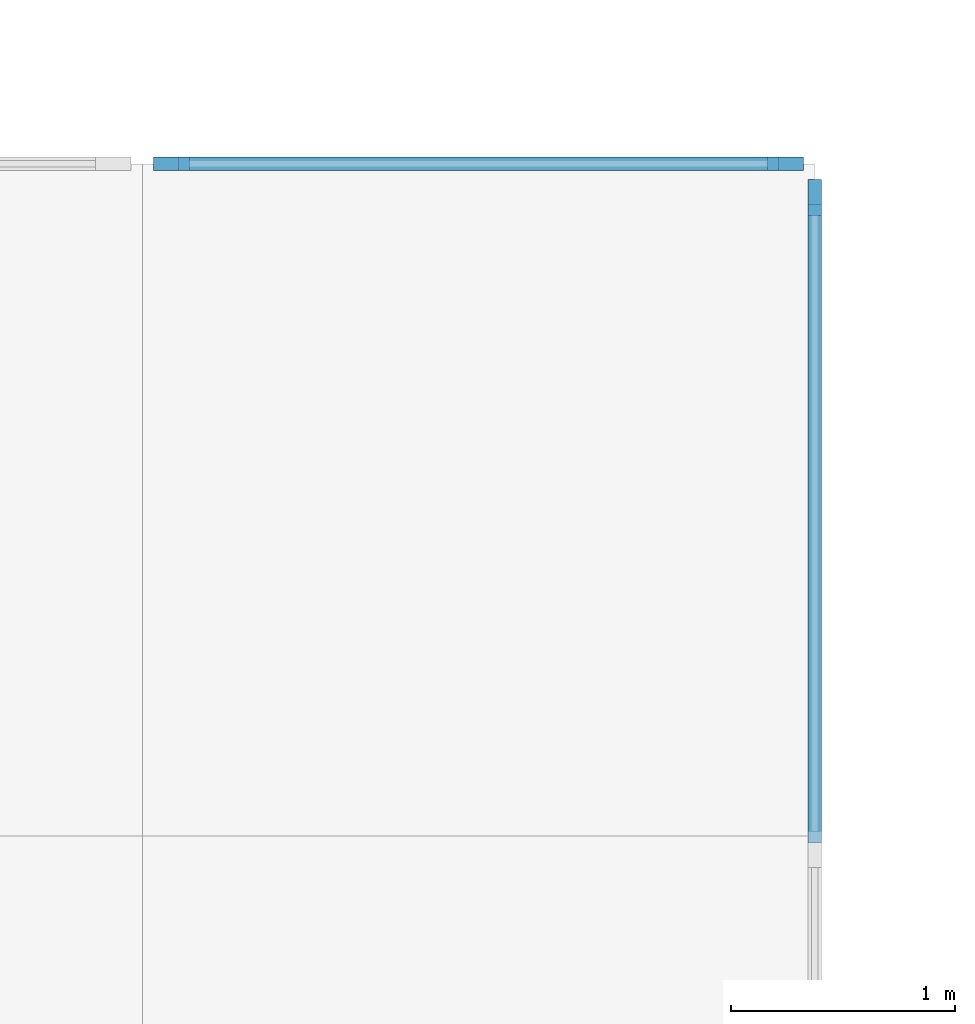
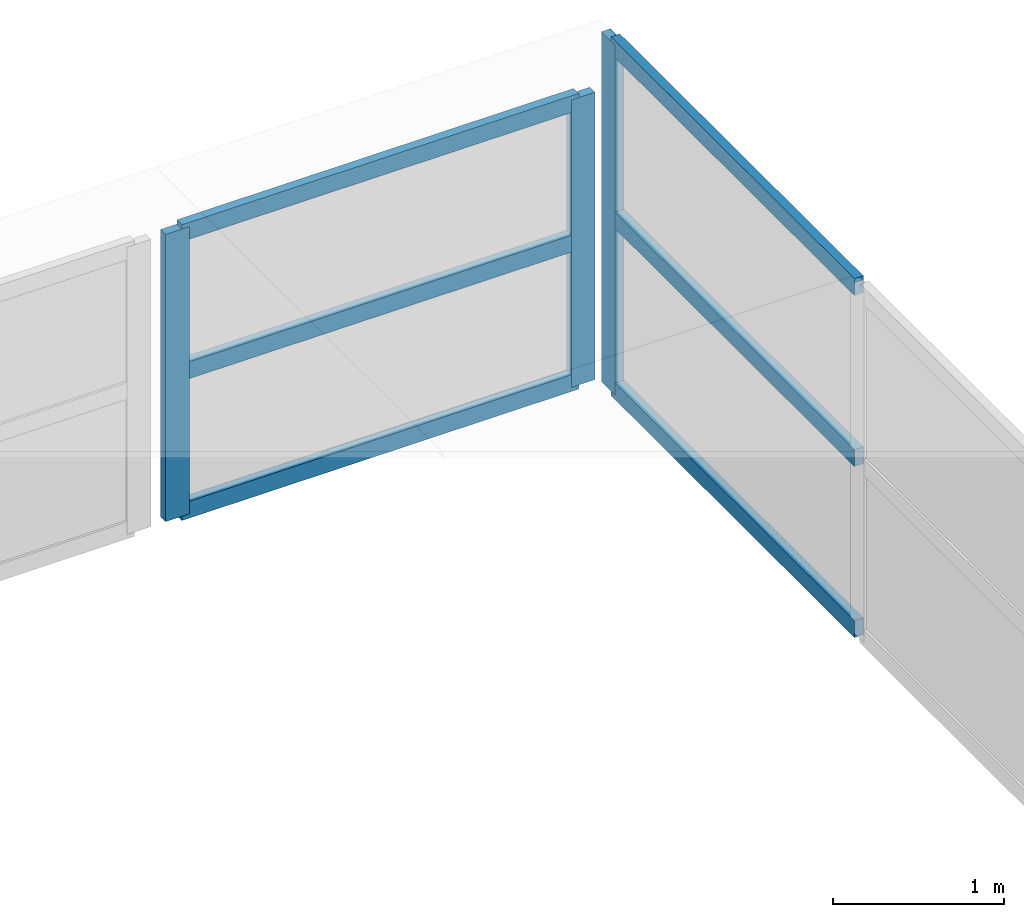
# One storey, part 44 of 91: 9 members, 2 elements without a shape of their own.
"""IFC4 building model written with IfcOpenShell, lengths in metres."""

from ifc_helpers import new_model, si_unit, direction, frame, origin, origin_2d, place, context, subcontext, project, spatial, rectangle, extrude, material, layer, layer_set, material_profile, profile_set, type_object, element, aggregate, save


model = new_model("IFC4")

# Units and contexts
model_context = context("Model", 3, precision=1e-05, world=origin(), true_north=direction((0.0, 1.0)))
body_context = subcontext(model_context, "Body", "Model", "MODEL_VIEW")
ifc_project = project(units=[si_unit("LENGTHUNIT", "METRE"), si_unit("AREAUNIT", "SQUARE_METRE"), si_unit("VOLUMEUNIT", "CUBIC_METRE"), si_unit("PLANEANGLEUNIT", "RADIAN"), si_unit("MASSUNIT", "GRAM", prefix="KILO")], contexts=[model_context])

# Site, building, storey
site_placement = place(None, origin())
site = spatial("IfcSite", under=ifc_project, at=site_placement, CompositionType="ELEMENT")
building_placement = place(site_placement, origin())
building = spatial("IfcBuilding", under=site, at=building_placement, Name="Ravi Spectrum Wholesale Market", CompositionType="ELEMENT")
storey_placement = place(building_placement, frame((0.0, 0.0, 16.199951171875)))
storey = spatial("IfcBuildingStorey", under=building, at=storey_placement, Name="ROOF PLANT LEVEL", CompositionType="ELEMENT", Elevation=16.199951171875)

# Curtain wall, members
ifc_material_1 = material(Name="Aluminium 6063-T6", Category="aluminium")
ifc_layer = layer(ifc_material_1, 0.14990234375)
ifc_layer_set = layer_set([ifc_layer], Name="Aluminium 6063-T6")
curtain_wall_type = type_object("IfcCurtainWallType", Name="Curtain wall 150", PredefinedType="NOTDEFINED", material=ifc_layer_set)
curtain_wall_1_placement = place(storey_placement, origin())
curtain_wall_1 = element("IfcCurtainWall", 1, at=curtain_wall_1_placement, inside=storey, type_object=curtain_wall_type, Name="AU-CW-ROOF-008", PredefinedType="NOTDEFINED")
ifc_material_2 = material(Name="Aluminium 6063-T6", Category="aluminium")
ifc_material_profile_1 = material_profile(ifc_material_2, rectangle(XDim=0.06005859375, YDim=0.159912109375, at=origin_2d()))
ifc_profile_set_1 = profile_set([ifc_material_profile_1], Name="Aluminium 6063-T6")
member_type_1 = type_object("IfcMemberType", Name="Mullion 60 x 160", PredefinedType="MULLION", material=ifc_profile_set_1)
member_1_placement = place(storey_placement, frame((183.1298828125, 222.0, 0.268798828125), z_axis=(0.0, 0.0, 1.0), x_axis=(0.0, 1.0, 0.0)))
member_1 = element("IfcMember", 2, at=member_1_placement, type_object=member_type_1, Name="AU-CW-ROOF-008 mullion 1", PredefinedType="MULLION", context=body_context, shape_type="SweptSolid", body=[
    extrude(rectangle(XDim=0.06005859375, YDim=0.159912109375, at=origin_2d()), origin(), (0.0, 0.0, 1.0), 2.05126953125),
])
member_2_placement = place(storey_placement, frame((185.8701171875, 222.0, 0.268798828125), z_axis=(0.0, 0.0, 1.0), x_axis=(0.0, 1.0, 0.0)))
member_2 = element("IfcMember", 3, at=member_2_placement, type_object=member_type_1, Name="AU-CW-ROOF-008 mullion 2", PredefinedType="MULLION", context=body_context, shape_type="SweptSolid", body=[
    extrude(rectangle(XDim=0.06005859375, YDim=0.159912109375, at=origin_2d()), origin(), (0.0, 0.0, 1.0), 2.05126953125),
])

# Curtain wall, member
curtain_wall_2_placement = place(storey_placement, origin())
curtain_wall_2 = element("IfcCurtainWall", 4, at=curtain_wall_2_placement, inside=storey, type_object=curtain_wall_type, Name="AU-CW-ROOF-010", PredefinedType="NOTDEFINED")
member_3_placement = place(storey_placement, frame((186.0, 221.85009765625, 0.268798828125), z_axis=(0.0, 0.0, 1.0), x_axis=(-1.0, 0.0, 0.0)))
member_3 = element("IfcMember", 5, at=member_3_placement, type_object=member_type_1, Name="AU-CW-ROOF-010 mullion 5", PredefinedType="MULLION", context=body_context, shape_type="SweptSolid", body=[
    extrude(rectangle(XDim=0.06005859375, YDim=0.159912109375, at=origin_2d()), origin(), (0.0, 0.0, 1.0), 2.501220703125),
])

# Member
ifc_material_3 = material(Name="Aluminium 6063-T6", Category="aluminium")
ifc_material_profile_2 = material_profile(ifc_material_3, rectangle(XDim=0.06005859375, YDim=0.1201171875, at=origin_2d()))
ifc_profile_set_2 = profile_set([ifc_material_profile_2], Name="Aluminium 6063-T6")
member_type_2 = type_object("IfcMemberType", Name="Transom 60 x 120", PredefinedType="USERDEFINED", material=ifc_profile_set_2)
member_4_placement = place(storey_placement, frame((183.159912109375, 222.0, 0.298583984375), z_axis=(1.0, 0.0, 0.0), x_axis=(0.0, 1.0, 0.0)))
member_4 = element("IfcMember", 6, at=member_4_placement, type_object=member_type_2, Name="AU-CW-ROOF-008 transom 1.1", ObjectType="TRANSOM", PredefinedType="USERDEFINED", context=body_context, shape_type="SweptSolid", body=[
    extrude(rectangle(XDim=0.06005859375, YDim=0.1201171875, at=origin_2d()), origin(), (0.0, 0.0, 1.0), 2.68017578125),
])

member_5_placement = place(storey_placement, frame((183.159912109375, 222.0, 1.29443359375), z_axis=(1.0, 0.0, 0.0), x_axis=(0.0, 1.0, 0.0)))
member_5 = element("IfcMember", 7, at=member_5_placement, type_object=member_type_2, Name="AU-CW-ROOF-008 transom 1.2", ObjectType="TRANSOM", PredefinedType="USERDEFINED", context=body_context, shape_type="SweptSolid", body=[
    extrude(rectangle(XDim=0.06005859375, YDim=0.1201171875, at=origin_2d()), origin(), (0.0, 0.0, 1.0), 2.68017578125),
])

member_6_placement = place(storey_placement, frame((183.159912109375, 222.0, 2.2900390625), z_axis=(1.0, 0.0, 0.0), x_axis=(0.0, 1.0, 0.0)))
member_6 = element("IfcMember", 8, at=member_6_placement, type_object=member_type_2, Name="AU-CW-ROOF-008 transom 1.3", ObjectType="TRANSOM", PredefinedType="USERDEFINED", context=body_context, shape_type="SweptSolid", body=[
    extrude(rectangle(XDim=0.06005859375, YDim=0.1201171875, at=origin_2d()), origin(), (0.0, 0.0, 1.0), 2.68017578125),
])

aggregate(curtain_wall_1, [member_1, member_2, member_4, member_5, member_6])

member_7_placement = place(storey_placement, frame((186.0, 218.969970703125, 0.298583984375), z_axis=(0.0, 1.0, 0.0), x_axis=(-1.0, 0.0, 0.0)))
member_7 = element("IfcMember", 9, at=member_7_placement, type_object=member_type_2, Name="AU-CW-ROOF-010 transom 4.1", ObjectType="TRANSOM", PredefinedType="USERDEFINED", context=body_context, shape_type="SweptSolid", body=[
    extrude(rectangle(XDim=0.06005859375, YDim=0.1201171875, at=origin_2d()), origin(), (0.0, 0.0, 1.0), 2.85009765625),
])

member_8_placement = place(storey_placement, frame((186.0, 218.969970703125, 1.519287109375), z_axis=(0.0, 1.0, 0.0), x_axis=(-1.0, 0.0, 0.0)))
member_8 = element("IfcMember", 10, at=member_8_placement, type_object=member_type_2, Name="AU-CW-ROOF-010 transom 4.2", ObjectType="TRANSOM", PredefinedType="USERDEFINED", context=body_context, shape_type="SweptSolid", body=[
    extrude(rectangle(XDim=0.06005859375, YDim=0.1201171875, at=origin_2d()), origin(), (0.0, 0.0, 1.0), 2.85009765625),
])

member_9_placement = place(storey_placement, frame((186.0, 218.969970703125, 2.739990234375), z_axis=(0.0, 1.0, 0.0), x_axis=(-1.0, 0.0, 0.0)))
member_9 = element("IfcMember", 11, at=member_9_placement, type_object=member_type_2, Name="AU-CW-ROOF-010 transom 4.3", ObjectType="TRANSOM", PredefinedType="USERDEFINED", context=body_context, shape_type="SweptSolid", body=[
    extrude(rectangle(XDim=0.06005859375, YDim=0.1201171875, at=origin_2d()), origin(), (0.0, 0.0, 1.0), 2.85009765625),
])

aggregate(curtain_wall_2, [member_3, member_7, member_8, member_9])

save(model, "model.ifc")
